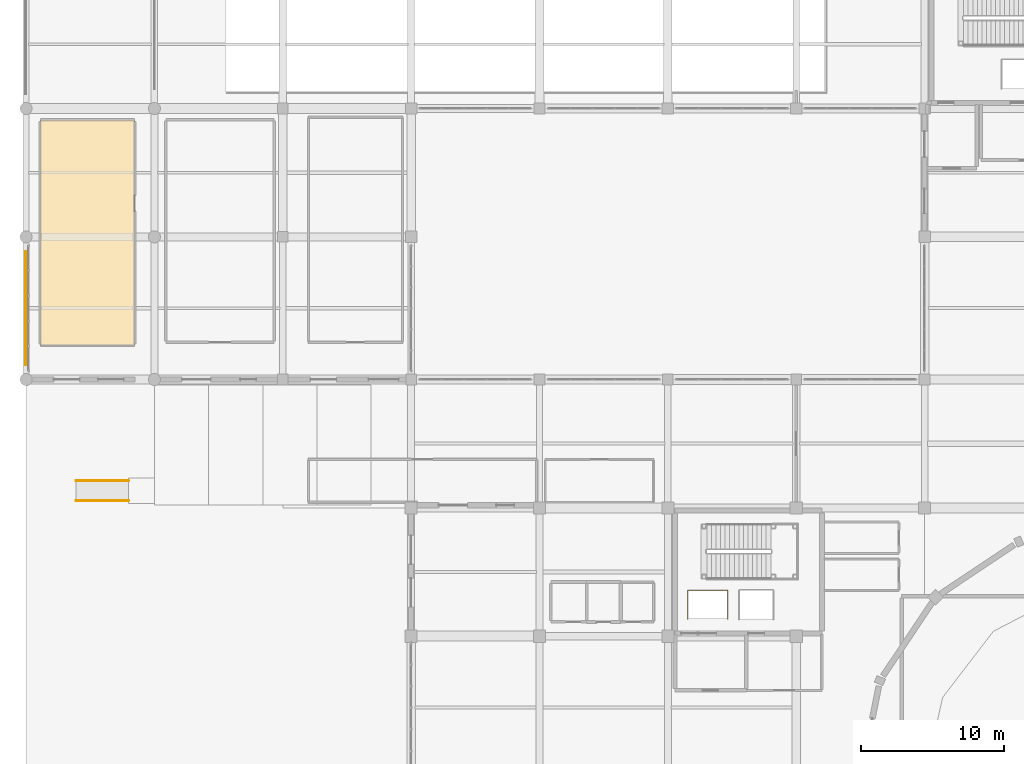
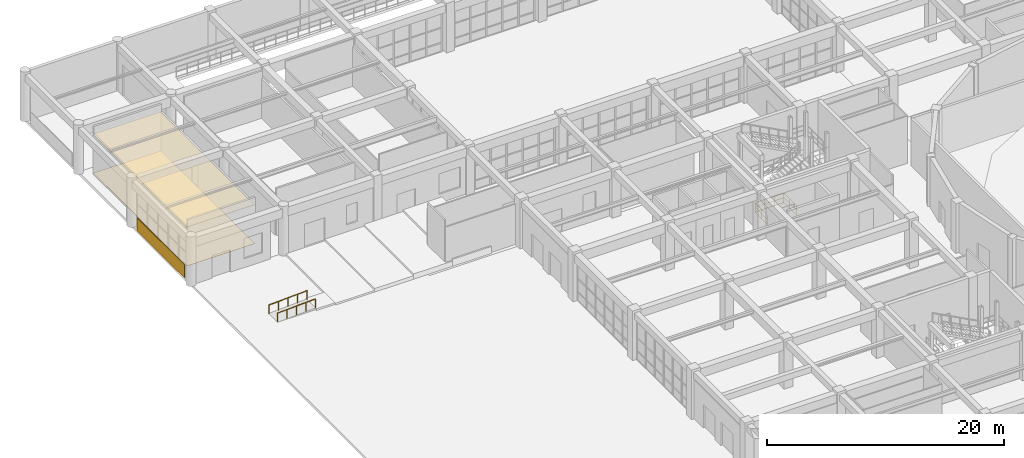
# One storey, part 122 of 128: 3 coverings, 3 railings.
"""IFC4 building model written with IfcOpenShell, lengths in metres."""

from ifc_helpers import new_model, si_unit, direction, frame, origin, origin_2d, place, context, subcontext, project, spatial, polyline, circle, outline, extrude, material, layer, layer_set, type_object, element, save


model = new_model("IFC4")

# Units and contexts
model_context = context("Model", 3, precision=1e-05, world=origin(), true_north=direction((0.0, 1.0)))
body_context = subcontext(model_context, "Body", "Model", "MODEL_VIEW")
ifc_project = project(units=[si_unit("LENGTHUNIT", "METRE"), si_unit("AREAUNIT", "SQUARE_METRE"), si_unit("VOLUMEUNIT", "CUBIC_METRE"), si_unit("PLANEANGLEUNIT", "RADIAN"), si_unit("MASSUNIT", "GRAM", prefix="KILO")], contexts=[model_context])

# Site, building, storey
site_placement = place(None, origin())
site = spatial("IfcSite", under=ifc_project, at=site_placement, CompositionType="ELEMENT")
building_placement = place(site_placement, origin())
building = spatial("IfcBuilding", under=site, at=building_placement, Name="Miravela Opera House", CompositionType="ELEMENT")
storey_placement = place(building_placement, origin())
storey = spatial("IfcBuildingStorey", under=building, at=storey_placement, Name="L00", CompositionType="ELEMENT", Elevation=0.0)

# Coverings
ifc_material_1 = material(Name="Spanish Colonial coffered lime-plaster ceiling")
ifc_layer_1 = layer(ifc_material_1, 0.0419921875)
ifc_layer_set_1 = layer_set([ifc_layer_1])
covering_type_1 = type_object("IfcCoveringType", Name="ARC-CEIL-COFFER-42", PredefinedType="CEILING", material=ifc_layer_set_1)
covering_1_placement = place(storey_placement, frame((0.0, 0.0, 4.0)))
element("IfcCovering", 1, at=covering_1_placement, inside=storey, type_object=covering_type_1, Name="Ticket Box Office and Patron Services Acoustic Ceiling", PredefinedType="CEILING", context=body_context, shape_type="SweptSolid", body=[
    extrude(outline(polyline([(1.0, 86.39990234375), (7.60009765625, 86.39990234375), (7.60009765625, 102.199951171875), (1.0, 102.199951171875), (1.0, 86.39990234375)])), origin(), (0.0, 0.0, 1.0), 0.0419921875),
])
ifc_material_2 = material(Name="Carved dark volcanic basalt ashlar cladding", Category="masonry")
ifc_layer_2 = layer(ifc_material_2, 0.054931640625)
ifc_layer_set_2 = layer_set([ifc_layer_2])
covering_type_2 = type_object("IfcCoveringType", Name="ARC-COV-BASALT-CLAD", PredefinedType="CLADDING", material=ifc_layer_set_2)
covering_2_placement = place(storey_placement, origin())
element("IfcCovering", 2, at=covering_2_placement, inside=storey, type_object=covering_type_2, Name="Volcanic Basalt Plinth Rustication Cladding 04", PredefinedType="CLADDING", context=body_context, shape_type="SweptSolid", body=[
    extrude(outline(polyline([(-0.048095703125, 85.0), (0.008056640625, 85.0), (0.008056640625, 93.0), (-0.048095703125, 93.0), (-0.048095703125, 85.0)])), origin(), (0.0, 0.0, 1.0), 1.35009765625),
])
ifc_material_3 = material(Name="Handcrafted terracotta salon tile flooring", Category="masonry")
ifc_layer_3 = layer(ifc_material_3, 0.02197265625)
ifc_layer_set_3 = layer_set([ifc_layer_3])
covering_type_3 = type_object("IfcCoveringType", Name="ARC-FLR-TERRACOTTA-22", PredefinedType="FLOORING", material=ifc_layer_set_3)
covering_3_placement = place(storey_placement, origin())
element("IfcCovering", 3, at=covering_3_placement, inside=storey, type_object=covering_type_3, Name="Ticket Box Office and Patron Services Finish Flooring", PredefinedType="FLOORING", context=body_context, shape_type="SweptSolid", body=[
    extrude(outline(polyline([(1.0, 86.39990234375), (7.60009765625, 86.39990234375), (7.60009765625, 102.199951171875), (1.0, 102.199951171875), (1.0, 86.39990234375)])), origin(), (0.0, 0.0, 1.0), 0.02197265625),
])

# Railings
ifc_material_4 = material(Name="Brushed stainless accessible ramp handrail")
railing_type_1 = type_object("IfcRailingType", Name="ARC-RAIL-HAND-920", PredefinedType="HANDRAIL", material=ifc_material_4)
for number, where, name in (
    (4, (3.5, 76.89990234375, 0.0), "Forecourt North Amphitheatre Accessible Ramp Left Handrail 0141"),
    (5, (3.5, 75.5, 0.0), "Forecourt North Amphitheatre Accessible Ramp Right Handrail 0142"),
):
    element("IfcRailing", number, at=place(storey_placement, frame(where)), inside=storey, type_object=railing_type_1, Name=name, PredefinedType="HANDRAIL", context=body_context, shape_type="SweptSolid", body=[
        extrude(circle(Radius=0.02197265625, at=origin_2d()), frame((0.0, 0.0, 0.89794921875), z_axis=(0.998819615177, 0.0, 0.048573411837), x_axis=(0.0, 1.0, 0.0)), (0.0, 0.0, 1.0), 3.704345703125),
        extrude(circle(Radius=0.02099609375, at=origin_2d()), origin(), (0.0, 0.0, 1.0), 0.8759765625),
        extrude(circle(Radius=0.02099609375, at=origin_2d()), frame((0.925048828125, 0.0, 0.044921875)), (0.0, 0.0, 1.0), 0.8759765625),
        extrude(circle(Radius=0.02099609375, at=origin_2d()), frame((1.85009765625, 0.0, 0.08984375)), (0.0, 0.0, 1.0), 0.8759765625),
        extrude(circle(Radius=0.02099609375, at=origin_2d()), frame((2.77490234375, 0.0, 0.135009765625)), (0.0, 0.0, 1.0), 0.8759765625),
        extrude(circle(Radius=0.02099609375, at=origin_2d()), frame((3.699951171875, 0.0, 0.179931640625)), (0.0, 0.0, 1.0), 0.8759765625),
    ])
ifc_material_5 = material(Name="Painted wrought-iron stair guardrail")
railing_type_2 = type_object("IfcRailingType", Name="ARC-RAIL-STAIR-GUARD", PredefinedType="GUARDRAIL", material=ifc_material_5)
railing_placement = place(storey_placement, frame((46.389892578125, 67.18505859375, 0.0)))
element("IfcRailing", 6, at=railing_placement, inside=storey, type_object=railing_type_2, Name="Lift FFL-01 Hoistway Slab Opening Guard (L00) 0093", PredefinedType="GUARDRAIL", context=body_context, shape_type="SweptSolid", body=[
    extrude(circle(Radius=0.02392578125, at=origin_2d()), frame((0.0, 0.0, 1.076171875), z_axis=(0.0, 1.0, 0.0), x_axis=(-1.0, 0.0, 0.0)), (0.0, 0.0, 1.0), 2.030029296875),
    extrude(circle(Radius=0.01611328125, at=origin_2d()), frame((0.0, 0.0, 0.60498046875), z_axis=(0.0, 1.0, 0.0), x_axis=(-1.0, 0.0, 0.0)), (0.0, 0.0, 1.0), 2.030029296875),
    extrude(circle(Radius=0.01611328125, at=origin_2d()), frame((0.0, 0.0, 0.1201171875), z_axis=(0.0, 1.0, 0.0), x_axis=(-1.0, 0.0, 0.0)), (0.0, 0.0, 1.0), 2.030029296875),
    extrude(circle(Radius=0.02392578125, at=origin_2d()), frame((0.0, 2.030029296875, 1.076171875), z_axis=(1.0, 0.0, 0.0), x_axis=(0.0, 1.0, 0.0)), (0.0, 0.0, 1.0), 2.820068359375),
    extrude(circle(Radius=0.01611328125, at=origin_2d()), frame((0.0, 2.030029296875, 0.60498046875), z_axis=(1.0, 0.0, 0.0), x_axis=(0.0, 1.0, 0.0)), (0.0, 0.0, 1.0), 2.820068359375),
    extrude(circle(Radius=0.01611328125, at=origin_2d()), frame((0.0, 2.030029296875, 0.1201171875), z_axis=(1.0, 0.0, 0.0), x_axis=(0.0, 1.0, 0.0)), (0.0, 0.0, 1.0), 2.820068359375),
    extrude(circle(Radius=0.02392578125, at=origin_2d()), frame((2.820068359375, 2.030029296875, 1.076171875), z_axis=(0.0, -1.0, 0.0), x_axis=(1.0, 0.0, 0.0)), (0.0, 0.0, 1.0), 2.030029296875),
    extrude(circle(Radius=0.01611328125, at=origin_2d()), frame((2.820068359375, 2.030029296875, 0.60498046875), z_axis=(0.0, -1.0, 0.0), x_axis=(1.0, 0.0, 0.0)), (0.0, 0.0, 1.0), 2.030029296875),
    extrude(circle(Radius=0.01611328125, at=origin_2d()), frame((2.820068359375, 2.030029296875, 0.1201171875), z_axis=(0.0, -1.0, 0.0), x_axis=(1.0, 0.0, 0.0)), (0.0, 0.0, 1.0), 2.030029296875),
    extrude(circle(Radius=0.02099609375, at=origin_2d()), origin(), (0.0, 0.0, 1.0), 1.052001953125),
    extrude(circle(Radius=0.02099609375, at=origin_2d()), frame((0.0, 1.01513671875, 0.0)), (0.0, 0.0, 1.0), 1.052001953125),
    extrude(circle(Radius=0.02099609375, at=origin_2d()), frame((0.0, 2.030029296875, 0.0)), (0.0, 0.0, 1.0), 1.052001953125),
    extrude(circle(Radius=0.02099609375, at=origin_2d()), frame((0.93994140625, 2.030029296875, 0.0)), (0.0, 0.0, 1.0), 1.052001953125),
    extrude(circle(Radius=0.02099609375, at=origin_2d()), frame((1.880126953125, 2.030029296875, 0.0)), (0.0, 0.0, 1.0), 1.052001953125),
    extrude(circle(Radius=0.02099609375, at=origin_2d()), frame((2.820068359375, 2.030029296875, 0.0)), (0.0, 0.0, 1.0), 1.052001953125),
    extrude(circle(Radius=0.02099609375, at=origin_2d()), frame((2.820068359375, 1.01513671875, 0.0)), (0.0, 0.0, 1.0), 1.052001953125),
    extrude(circle(Radius=0.02099609375, at=origin_2d()), frame((2.820068359375, 0.0, 0.0)), (0.0, 0.0, 1.0), 1.052001953125),
])

save(model, "model.ifc")
